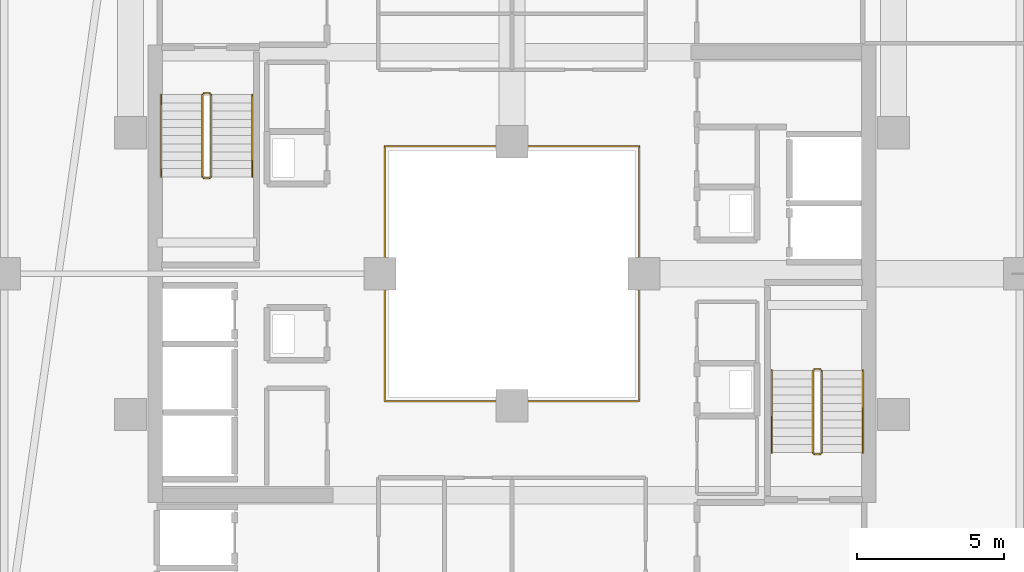
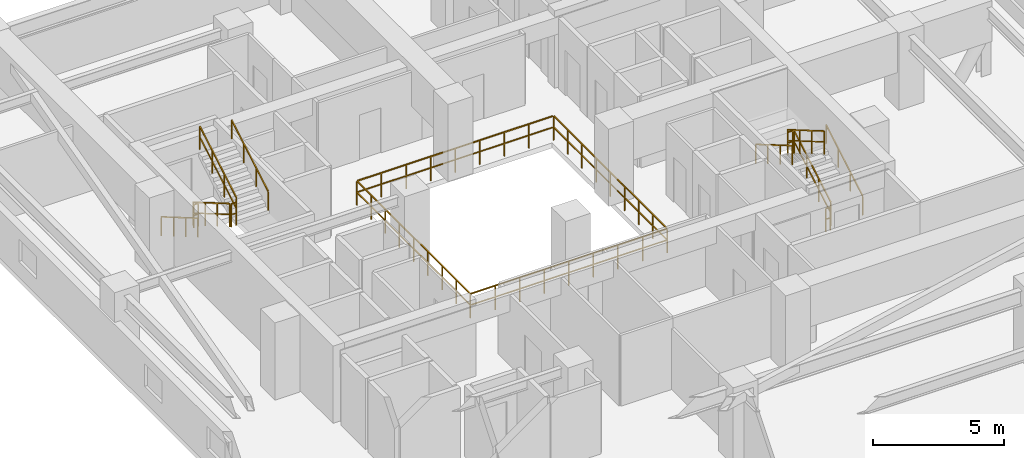
# One storey, part 34 of 35: 13 railings.
"""IFC4 building model written with IfcOpenShell, lengths in metres."""

from ifc_helpers import new_model, si_unit, direction, frame, origin, origin_2d, place, context, subcontext, project, spatial, rectangle, extrude, material, type_object, element, save


model = new_model("IFC4")

# Units and contexts
model_context = context("Model", 3, precision=1e-05, world=origin(), true_north=direction((0.0, 1.0)))
body_context = subcontext(model_context, "Body", "Model", "MODEL_VIEW")
ifc_project = project(units=[si_unit("LENGTHUNIT", "METRE"), si_unit("AREAUNIT", "SQUARE_METRE"), si_unit("VOLUMEUNIT", "CUBIC_METRE"), si_unit("PLANEANGLEUNIT", "RADIAN"), si_unit("MASSUNIT", "GRAM", prefix="KILO")], contexts=[model_context])

# Site, building, storey
site_placement = place(None, origin())
site = spatial("IfcSite", under=ifc_project, at=site_placement, CompositionType="ELEMENT")
building_placement = place(site_placement, origin())
building = spatial("IfcBuilding", under=site, at=building_placement, Name="Thornwick Lancets Civic Towers", CompositionType="ELEMENT")
storey_placement = place(building_placement, frame((0.0, 0.0, 145.5)))
storey = spatial("IfcBuildingStorey", under=building, at=storey_placement, Name="L38", CompositionType="ELEMENT", Elevation=145.5)

# Railings
ifc_material_1 = material(Name="Laminated glass and bronze steel S355", Category="steel")
railing_type_1 = type_object("IfcRailingType", Name="RAIL_ATRIUM_GUARD", PredefinedType="BALUSTRADE", material=ifc_material_1)
railing_1_placement = place(storey_placement, frame((84.159912109375, 22.659912109375, 0.0)))
element("IfcRailing", 1, at=railing_1_placement, inside=storey, type_object=railing_type_1, Name="L38 Tower B Central Atrium Guard Balustrade", PredefinedType="BALUSTRADE", context=body_context, shape_type="SweptSolid", body=[
    extrude(rectangle(XDim=0.048095703125, YDim=0.048095703125, at=origin_2d()), frame((0.0, 0.0, 1.1259765625), z_axis=(1.0, 0.0, 0.0), x_axis=(0.0, 1.0, 0.0)), (0.0, 0.0, 1.0), 8.64892578125),
    extrude(rectangle(XDim=0.0419921875, YDim=0.0419921875, at=origin_2d()), frame((0.03759765625, 0.0, 0.597900390625), z_axis=(1.0, 0.0, 0.0), x_axis=(0.0, 1.0, 0.0)), (0.0, 0.0, 1.0), 1.010009765625),
    extrude(rectangle(XDim=0.0419921875, YDim=0.0419921875, at=origin_2d()), frame((1.12255859375, 0.0, 0.597900390625), z_axis=(1.0, 0.0, 0.0), x_axis=(0.0, 1.0, 0.0)), (0.0, 0.0, 1.0), 1.010009765625),
    extrude(rectangle(XDim=0.0419921875, YDim=0.0419921875, at=origin_2d()), frame((2.20751953125, 0.0, 0.597900390625), z_axis=(1.0, 0.0, 0.0), x_axis=(0.0, 1.0, 0.0)), (0.0, 0.0, 1.0), 1.010009765625),
    extrude(rectangle(XDim=0.0419921875, YDim=0.0419921875, at=origin_2d()), frame((3.29248046875, 0.0, 0.597900390625), z_axis=(1.0, 0.0, 0.0), x_axis=(0.0, 1.0, 0.0)), (0.0, 0.0, 1.0), 1.010009765625),
    extrude(rectangle(XDim=0.0419921875, YDim=0.0419921875, at=origin_2d()), frame((4.377685546875, 0.0, 0.597900390625), z_axis=(1.0, 0.0, 0.0), x_axis=(0.0, 1.0, 0.0)), (0.0, 0.0, 1.0), 1.010009765625),
    extrude(rectangle(XDim=0.0419921875, YDim=0.0419921875, at=origin_2d()), frame((5.462646484375, 0.0, 0.597900390625), z_axis=(1.0, 0.0, 0.0), x_axis=(0.0, 1.0, 0.0)), (0.0, 0.0, 1.0), 1.010009765625),
    extrude(rectangle(XDim=0.0419921875, YDim=0.0419921875, at=origin_2d()), frame((6.547607421875, 0.0, 0.597900390625), z_axis=(1.0, 0.0, 0.0), x_axis=(0.0, 1.0, 0.0)), (0.0, 0.0, 1.0), 1.010009765625),
    extrude(rectangle(XDim=0.0419921875, YDim=0.0419921875, at=origin_2d()), frame((7.632568359375, 0.0, 0.597900390625), z_axis=(1.0, 0.0, 0.0), x_axis=(0.0, 1.0, 0.0)), (0.0, 0.0, 1.0), 1.010009765625),
    extrude(rectangle(XDim=0.048095703125, YDim=0.048095703125, at=origin_2d()), frame((8.68017578125, 0.03125, 1.1259765625), z_axis=(0.0, 1.0, 0.0), x_axis=(-1.0, 0.0, 0.0)), (0.0, 0.0, 1.0), 8.61767578125),
    extrude(rectangle(XDim=0.0419921875, YDim=0.0419921875, at=origin_2d()), frame((8.68017578125, 0.03759765625, 0.597900390625), z_axis=(0.0, 1.0, 0.0), x_axis=(-1.0, 0.0, 0.0)), (0.0, 0.0, 1.0), 1.010009765625),
    extrude(rectangle(XDim=0.0419921875, YDim=0.0419921875, at=origin_2d()), frame((8.68017578125, 1.12255859375, 0.597900390625), z_axis=(0.0, 1.0, 0.0), x_axis=(-1.0, 0.0, 0.0)), (0.0, 0.0, 1.0), 1.010009765625),
    extrude(rectangle(XDim=0.0419921875, YDim=0.0419921875, at=origin_2d()), frame((8.68017578125, 2.20751953125, 0.597900390625), z_axis=(0.0, 1.0, 0.0), x_axis=(-1.0, 0.0, 0.0)), (0.0, 0.0, 1.0), 1.010009765625),
    extrude(rectangle(XDim=0.0419921875, YDim=0.0419921875, at=origin_2d()), frame((8.68017578125, 3.29248046875, 0.597900390625), z_axis=(0.0, 1.0, 0.0), x_axis=(-1.0, 0.0, 0.0)), (0.0, 0.0, 1.0), 1.010009765625),
    extrude(rectangle(XDim=0.0419921875, YDim=0.0419921875, at=origin_2d()), frame((8.68017578125, 4.377685546875, 0.597900390625), z_axis=(0.0, 1.0, 0.0), x_axis=(-1.0, 0.0, 0.0)), (0.0, 0.0, 1.0), 1.010009765625),
    extrude(rectangle(XDim=0.0419921875, YDim=0.0419921875, at=origin_2d()), frame((8.68017578125, 5.462646484375, 0.597900390625), z_axis=(0.0, 1.0, 0.0), x_axis=(-1.0, 0.0, 0.0)), (0.0, 0.0, 1.0), 1.010009765625),
    extrude(rectangle(XDim=0.0419921875, YDim=0.0419921875, at=origin_2d()), frame((8.68017578125, 6.547607421875, 0.597900390625), z_axis=(0.0, 1.0, 0.0), x_axis=(-1.0, 0.0, 0.0)), (0.0, 0.0, 1.0), 1.010009765625),
    extrude(rectangle(XDim=0.0419921875, YDim=0.0419921875, at=origin_2d()), frame((8.68017578125, 7.632568359375, 0.597900390625), z_axis=(0.0, 1.0, 0.0), x_axis=(-1.0, 0.0, 0.0)), (0.0, 0.0, 1.0), 1.010009765625),
    extrude(rectangle(XDim=0.048095703125, YDim=0.048095703125, at=origin_2d()), frame((8.64892578125, 8.68017578125, 1.1259765625), z_axis=(-1.0, 0.0, 0.0), x_axis=(0.0, -1.0, 0.0)), (0.0, 0.0, 1.0), 8.61767578125),
    extrude(rectangle(XDim=0.0419921875, YDim=0.0419921875, at=origin_2d()), frame((8.642578125, 8.68017578125, 0.597900390625), z_axis=(-1.0, 0.0, 0.0), x_axis=(0.0, -1.0, 0.0)), (0.0, 0.0, 1.0), 1.010009765625),
    extrude(rectangle(XDim=0.0419921875, YDim=0.0419921875, at=origin_2d()), frame((7.5576171875, 8.68017578125, 0.597900390625), z_axis=(-1.0, 0.0, 0.0), x_axis=(0.0, -1.0, 0.0)), (0.0, 0.0, 1.0), 1.010009765625),
    extrude(rectangle(XDim=0.0419921875, YDim=0.0419921875, at=origin_2d()), frame((6.47265625, 8.68017578125, 0.597900390625), z_axis=(-1.0, 0.0, 0.0), x_axis=(0.0, -1.0, 0.0)), (0.0, 0.0, 1.0), 1.010009765625),
    extrude(rectangle(XDim=0.0419921875, YDim=0.0419921875, at=origin_2d()), frame((5.3876953125, 8.68017578125, 0.597900390625), z_axis=(-1.0, 0.0, 0.0), x_axis=(0.0, -1.0, 0.0)), (0.0, 0.0, 1.0), 1.010009765625),
    extrude(rectangle(XDim=0.0419921875, YDim=0.0419921875, at=origin_2d()), frame((4.302490234375, 8.68017578125, 0.597900390625), z_axis=(-1.0, 0.0, 0.0), x_axis=(0.0, -1.0, 0.0)), (0.0, 0.0, 1.0), 1.010009765625),
    extrude(rectangle(XDim=0.0419921875, YDim=0.0419921875, at=origin_2d()), frame((3.217529296875, 8.68017578125, 0.597900390625), z_axis=(-1.0, 0.0, 0.0), x_axis=(0.0, -1.0, 0.0)), (0.0, 0.0, 1.0), 1.010009765625),
    extrude(rectangle(XDim=0.0419921875, YDim=0.0419921875, at=origin_2d()), frame((2.132568359375, 8.68017578125, 0.597900390625), z_axis=(-1.0, 0.0, 0.0), x_axis=(0.0, -1.0, 0.0)), (0.0, 0.0, 1.0), 1.010009765625),
    extrude(rectangle(XDim=0.0419921875, YDim=0.0419921875, at=origin_2d()), frame((1.047607421875, 8.68017578125, 0.597900390625), z_axis=(-1.0, 0.0, 0.0), x_axis=(0.0, -1.0, 0.0)), (0.0, 0.0, 1.0), 1.010009765625),
    extrude(rectangle(XDim=0.048095703125, YDim=0.048095703125, at=origin_2d()), frame((0.0, 8.64892578125, 1.1259765625), z_axis=(0.0, -1.0, 0.0), x_axis=(1.0, 0.0, 0.0)), (0.0, 0.0, 1.0), 8.64892578125),
    extrude(rectangle(XDim=0.0419921875, YDim=0.0419921875, at=origin_2d()), frame((0.0, 8.642578125, 0.597900390625), z_axis=(0.0, -1.0, 0.0), x_axis=(1.0, 0.0, 0.0)), (0.0, 0.0, 1.0), 1.010009765625),
    extrude(rectangle(XDim=0.0419921875, YDim=0.0419921875, at=origin_2d()), frame((0.0, 7.5576171875, 0.597900390625), z_axis=(0.0, -1.0, 0.0), x_axis=(1.0, 0.0, 0.0)), (0.0, 0.0, 1.0), 1.010009765625),
    extrude(rectangle(XDim=0.0419921875, YDim=0.0419921875, at=origin_2d()), frame((0.0, 6.47265625, 0.597900390625), z_axis=(0.0, -1.0, 0.0), x_axis=(1.0, 0.0, 0.0)), (0.0, 0.0, 1.0), 1.010009765625),
    extrude(rectangle(XDim=0.0419921875, YDim=0.0419921875, at=origin_2d()), frame((0.0, 5.3876953125, 0.597900390625), z_axis=(0.0, -1.0, 0.0), x_axis=(1.0, 0.0, 0.0)), (0.0, 0.0, 1.0), 1.010009765625),
    extrude(rectangle(XDim=0.0419921875, YDim=0.0419921875, at=origin_2d()), frame((0.0, 4.302490234375, 0.597900390625), z_axis=(0.0, -1.0, 0.0), x_axis=(1.0, 0.0, 0.0)), (0.0, 0.0, 1.0), 1.010009765625),
    extrude(rectangle(XDim=0.0419921875, YDim=0.0419921875, at=origin_2d()), frame((0.0, 3.217529296875, 0.597900390625), z_axis=(0.0, -1.0, 0.0), x_axis=(1.0, 0.0, 0.0)), (0.0, 0.0, 1.0), 1.010009765625),
    extrude(rectangle(XDim=0.0419921875, YDim=0.0419921875, at=origin_2d()), frame((0.0, 2.132568359375, 0.597900390625), z_axis=(0.0, -1.0, 0.0), x_axis=(1.0, 0.0, 0.0)), (0.0, 0.0, 1.0), 1.010009765625),
    extrude(rectangle(XDim=0.0419921875, YDim=0.0419921875, at=origin_2d()), frame((0.0, 1.047607421875, 0.597900390625), z_axis=(0.0, -1.0, 0.0), x_axis=(1.0, 0.0, 0.0)), (0.0, 0.0, 1.0), 1.010009765625),
    extrude(rectangle(XDim=0.0419921875, YDim=0.0419921875, at=origin_2d()), origin(), (0.0, 0.0, 1.0), 1.095703125),
    extrude(rectangle(XDim=0.0419921875, YDim=0.0419921875, at=origin_2d()), frame((1.0849609375, 0.0, 0.0)), (0.0, 0.0, 1.0), 1.095703125),
    extrude(rectangle(XDim=0.0419921875, YDim=0.0419921875, at=origin_2d()), frame((2.169921875, 0.0, 0.0)), (0.0, 0.0, 1.0), 1.095703125),
    extrude(rectangle(XDim=0.0419921875, YDim=0.0419921875, at=origin_2d()), frame((3.255126953125, 0.0, 0.0)), (0.0, 0.0, 1.0), 1.095703125),
    extrude(rectangle(XDim=0.0419921875, YDim=0.0419921875, at=origin_2d()), frame((4.340087890625, 0.0, 0.0)), (0.0, 0.0, 1.0), 1.095703125),
    extrude(rectangle(XDim=0.0419921875, YDim=0.0419921875, at=origin_2d()), frame((5.425048828125, 0.0, 0.0)), (0.0, 0.0, 1.0), 1.095703125),
    extrude(rectangle(XDim=0.0419921875, YDim=0.0419921875, at=origin_2d()), frame((6.51025390625, 0.0, 0.0)), (0.0, 0.0, 1.0), 1.095703125),
    extrude(rectangle(XDim=0.0419921875, YDim=0.0419921875, at=origin_2d()), frame((7.59521484375, 0.0, 0.0)), (0.0, 0.0, 1.0), 1.095703125),
    extrude(rectangle(XDim=0.0419921875, YDim=0.0419921875, at=origin_2d()), frame((8.68017578125, 0.0, 0.0)), (0.0, 0.0, 1.0), 1.095703125),
    extrude(rectangle(XDim=0.0419921875, YDim=0.0419921875, at=origin_2d()), frame((8.68017578125, 1.0849609375, 0.0)), (0.0, 0.0, 1.0), 1.095703125),
    extrude(rectangle(XDim=0.0419921875, YDim=0.0419921875, at=origin_2d()), frame((8.68017578125, 2.169921875, 0.0)), (0.0, 0.0, 1.0), 1.095703125),
    extrude(rectangle(XDim=0.0419921875, YDim=0.0419921875, at=origin_2d()), frame((8.68017578125, 3.255126953125, 0.0)), (0.0, 0.0, 1.0), 1.095703125),
    extrude(rectangle(XDim=0.0419921875, YDim=0.0419921875, at=origin_2d()), frame((8.68017578125, 4.340087890625, 0.0)), (0.0, 0.0, 1.0), 1.095703125),
    extrude(rectangle(XDim=0.0419921875, YDim=0.0419921875, at=origin_2d()), frame((8.68017578125, 5.425048828125, 0.0)), (0.0, 0.0, 1.0), 1.095703125),
    extrude(rectangle(XDim=0.0419921875, YDim=0.0419921875, at=origin_2d()), frame((8.68017578125, 6.51025390625, 0.0)), (0.0, 0.0, 1.0), 1.095703125),
    extrude(rectangle(XDim=0.0419921875, YDim=0.0419921875, at=origin_2d()), frame((8.68017578125, 7.59521484375, 0.0)), (0.0, 0.0, 1.0), 1.095703125),
    extrude(rectangle(XDim=0.0419921875, YDim=0.0419921875, at=origin_2d()), frame((8.68017578125, 8.68017578125, 0.0)), (0.0, 0.0, 1.0), 1.095703125),
    extrude(rectangle(XDim=0.0419921875, YDim=0.0419921875, at=origin_2d()), frame((7.59521484375, 8.68017578125, 0.0)), (0.0, 0.0, 1.0), 1.095703125),
    extrude(rectangle(XDim=0.0419921875, YDim=0.0419921875, at=origin_2d()), frame((6.51025390625, 8.68017578125, 0.0)), (0.0, 0.0, 1.0), 1.095703125),
    extrude(rectangle(XDim=0.0419921875, YDim=0.0419921875, at=origin_2d()), frame((5.425048828125, 8.68017578125, 0.0)), (0.0, 0.0, 1.0), 1.095703125),
    extrude(rectangle(XDim=0.0419921875, YDim=0.0419921875, at=origin_2d()), frame((4.340087890625, 8.68017578125, 0.0)), (0.0, 0.0, 1.0), 1.095703125),
    extrude(rectangle(XDim=0.0419921875, YDim=0.0419921875, at=origin_2d()), frame((3.255126953125, 8.68017578125, 0.0)), (0.0, 0.0, 1.0), 1.095703125),
    extrude(rectangle(XDim=0.0419921875, YDim=0.0419921875, at=origin_2d()), frame((2.169921875, 8.68017578125, 0.0)), (0.0, 0.0, 1.0), 1.095703125),
    extrude(rectangle(XDim=0.0419921875, YDim=0.0419921875, at=origin_2d()), frame((1.0849609375, 8.68017578125, 0.0)), (0.0, 0.0, 1.0), 1.095703125),
    extrude(rectangle(XDim=0.0419921875, YDim=0.0419921875, at=origin_2d()), frame((0.0, 8.68017578125, 0.0)), (0.0, 0.0, 1.0), 1.095703125),
    extrude(rectangle(XDim=0.0419921875, YDim=0.0419921875, at=origin_2d()), frame((0.0, 7.59521484375, 0.0)), (0.0, 0.0, 1.0), 1.095703125),
    extrude(rectangle(XDim=0.0419921875, YDim=0.0419921875, at=origin_2d()), frame((0.0, 6.51025390625, 0.0)), (0.0, 0.0, 1.0), 1.095703125),
    extrude(rectangle(XDim=0.0419921875, YDim=0.0419921875, at=origin_2d()), frame((0.0, 5.425048828125, 0.0)), (0.0, 0.0, 1.0), 1.095703125),
    extrude(rectangle(XDim=0.0419921875, YDim=0.0419921875, at=origin_2d()), frame((0.0, 4.340087890625, 0.0)), (0.0, 0.0, 1.0), 1.095703125),
    extrude(rectangle(XDim=0.0419921875, YDim=0.0419921875, at=origin_2d()), frame((0.0, 3.255126953125, 0.0)), (0.0, 0.0, 1.0), 1.095703125),
    extrude(rectangle(XDim=0.0419921875, YDim=0.0419921875, at=origin_2d()), frame((0.0, 2.169921875, 0.0)), (0.0, 0.0, 1.0), 1.095703125),
    extrude(rectangle(XDim=0.0419921875, YDim=0.0419921875, at=origin_2d()), frame((0.0, 1.0849609375, 0.0)), (0.0, 0.0, 1.0), 1.095703125),
])
ifc_material_2 = material(Name="Brushed stainless steel S355", Category="steel")
railing_type_2 = type_object("IfcRailingType", Name="RAIL_HANDRAIL", PredefinedType="HANDRAIL", material=ifc_material_2)
railing_2_placement = place(storey_placement, frame((100.449951171875, 20.89990234375, 0.16357421875)))
element("IfcRailing", 2, at=railing_2_placement, inside=storey, type_object=railing_type_2, Name="L38 ST-B1 stair handrail 1", PredefinedType="HANDRAIL", context=body_context, shape_type="SweptSolid", body=[
    extrude(rectangle(XDim=0.048095703125, YDim=0.048095703125, at=origin_2d()), frame((0.0, 0.0, 0.8857421875), z_axis=(0.0, 0.863360870873, 0.504586966384), x_axis=(-1.0, 0.0, 0.0)), (0.0, 0.0, 1.0), 3.2431640625),
    extrude(rectangle(XDim=0.0419921875, YDim=0.0419921875, at=origin_2d()), origin(), (0.0, 0.0, 1.0), 0.855712890625),
    extrude(rectangle(XDim=0.0419921875, YDim=0.0419921875, at=origin_2d()), frame((0.0, 0.933349609375, 0.54541015625)), (0.0, 0.0, 1.0), 0.855712890625),
    extrude(rectangle(XDim=0.0419921875, YDim=0.0419921875, at=origin_2d()), frame((0.0, 1.86669921875, 1.091064453125)), (0.0, 0.0, 1.0), 0.855712890625),
    extrude(rectangle(XDim=0.0419921875, YDim=0.0419921875, at=origin_2d()), frame((0.0, 2.800048828125, 1.636474609375)), (0.0, 0.0, 1.0), 0.855712890625),
])
for number, where, name in (
    (3, (97.35009765625, 23.699951171875, 1.963623046875), "L38 ST-B1 stair handrail 2"),
    (4, (76.550048828125, 33.10009765625, 0.16357421875), "L38 ST-B2 stair handrail 1"),
):
    element("IfcRailing", number, at=place(storey_placement, frame(where)), inside=storey, type_object=railing_type_2, Name=name, PredefinedType="HANDRAIL", context=body_context, shape_type="SweptSolid", body=[
        extrude(rectangle(XDim=0.048095703125, YDim=0.048095703125, at=origin_2d()), frame((0.0, 0.0, 0.8857421875), z_axis=(0.0, -0.863360870873, 0.504586966384), x_axis=(1.0, 0.0, 0.0)), (0.0, 0.0, 1.0), 3.2431640625),
        extrude(rectangle(XDim=0.0419921875, YDim=0.0419921875, at=origin_2d()), origin(), (0.0, 0.0, 1.0), 0.855712890625),
        extrude(rectangle(XDim=0.0419921875, YDim=0.0419921875, at=origin_2d()), frame((0.0, -0.933349609375, 0.54541015625)), (0.0, 0.0, 1.0), 0.855712890625),
        extrude(rectangle(XDim=0.0419921875, YDim=0.0419921875, at=origin_2d()), frame((0.0, -1.86669921875, 1.091064453125)), (0.0, 0.0, 1.0), 0.855712890625),
        extrude(rectangle(XDim=0.0419921875, YDim=0.0419921875, at=origin_2d()), frame((0.0, -2.800048828125, 1.636474609375)), (0.0, 0.0, 1.0), 0.855712890625),
    ])
railing_3_placement = place(storey_placement, frame((79.64990234375, 30.300048828125, 1.963623046875)))
element("IfcRailing", 5, at=railing_3_placement, inside=storey, type_object=railing_type_2, Name="L38 ST-B2 stair handrail 2", PredefinedType="HANDRAIL", context=body_context, shape_type="SweptSolid", body=[
    extrude(rectangle(XDim=0.048095703125, YDim=0.048095703125, at=origin_2d()), frame((0.0, 0.0, 0.8857421875), z_axis=(0.0, 0.863360870873, 0.504586966384), x_axis=(-1.0, 0.0, 0.0)), (0.0, 0.0, 1.0), 3.2431640625),
    extrude(rectangle(XDim=0.0419921875, YDim=0.0419921875, at=origin_2d()), origin(), (0.0, 0.0, 1.0), 0.855712890625),
    extrude(rectangle(XDim=0.0419921875, YDim=0.0419921875, at=origin_2d()), frame((0.0, 0.933349609375, 0.54541015625)), (0.0, 0.0, 1.0), 0.855712890625),
    extrude(rectangle(XDim=0.0419921875, YDim=0.0419921875, at=origin_2d()), frame((0.0, 1.86669921875, 1.091064453125)), (0.0, 0.0, 1.0), 0.855712890625),
    extrude(rectangle(XDim=0.0419921875, YDim=0.0419921875, at=origin_2d()), frame((0.0, 2.800048828125, 1.636474609375)), (0.0, 0.0, 1.0), 0.855712890625),
])
ifc_material_3 = material(Name="Steel S355JR", Category="steel")
railing_type_3 = type_object("IfcRailingType", Name="RAIL_STAIR_GUARD", PredefinedType="GUARDRAIL", material=ifc_material_3)
railing_4_placement = place(storey_placement, frame((99.050048828125, 20.89990234375, 0.16357421875)))
element("IfcRailing", 6, at=railing_4_placement, inside=storey, type_object=railing_type_3, Name="L38 ST-B1 stair guard 1", PredefinedType="GUARDRAIL", context=body_context, shape_type="SweptSolid", body=[
    extrude(rectangle(XDim=0.048095703125, YDim=0.048095703125, at=origin_2d()), frame((0.0, 0.0, 1.076171875), z_axis=(0.0, 0.863360870873, 0.504586966384), x_axis=(-1.0, 0.0, 0.0)), (0.0, 0.0, 1.0), 3.2431640625),
    extrude(rectangle(XDim=0.0419921875, YDim=0.0419921875, at=origin_2d()), frame((0.0, 0.032470703125, 0.591064453125), z_axis=(0.0, 0.863360870873, 0.504586966384), x_axis=(-1.0, 0.0, 0.0)), (0.0, 0.0, 1.0), 1.006103515625),
    extrude(rectangle(XDim=0.0419921875, YDim=0.0419921875, at=origin_2d()), frame((0.0, 0.9658203125, 1.136474609375), z_axis=(0.0, 0.863360870873, 0.504586966384), x_axis=(-1.0, 0.0, 0.0)), (0.0, 0.0, 1.0), 1.006103515625),
    extrude(rectangle(XDim=0.0419921875, YDim=0.0419921875, at=origin_2d()), frame((0.0, 1.899169921875, 1.681884765625), z_axis=(0.0, 0.863360870873, 0.504586966384), x_axis=(-1.0, 0.0, 0.0)), (0.0, 0.0, 1.0), 1.006103515625),
    extrude(rectangle(XDim=0.0419921875, YDim=0.0419921875, at=origin_2d()), origin(), (0.0, 0.0, 1.0), 1.0458984375),
    extrude(rectangle(XDim=0.0419921875, YDim=0.0419921875, at=origin_2d()), frame((0.0, 0.933349609375, 0.54541015625)), (0.0, 0.0, 1.0), 1.0458984375),
    extrude(rectangle(XDim=0.0419921875, YDim=0.0419921875, at=origin_2d()), frame((0.0, 1.86669921875, 1.091064453125)), (0.0, 0.0, 1.0), 1.0458984375),
    extrude(rectangle(XDim=0.0419921875, YDim=0.0419921875, at=origin_2d()), frame((0.0, 2.800048828125, 1.636474609375)), (0.0, 0.0, 1.0), 1.0458984375),
])
railing_5_placement = place(storey_placement, frame((99.0, 23.75, 1.800048828125)))
element("IfcRailing", 7, at=railing_5_placement, inside=storey, type_object=railing_type_3, Name="L38 ST-B1 stair guard 2", PredefinedType="GUARDRAIL", context=body_context, shape_type="SweptSolid", body=[
    extrude(rectangle(XDim=0.048095703125, YDim=0.048095703125, at=origin_2d()), frame((0.0, 0.0, 1.076171875), z_axis=(-1.0, 0.0, 0.0), x_axis=(0.0, -1.0, 0.0)), (0.0, 0.0, 1.0), 0.199951171875),
    extrude(rectangle(XDim=0.0419921875, YDim=0.0419921875, at=origin_2d()), frame((-0.03759765625, 0.0, 0.572021484375), z_axis=(-1.0, 0.0, 0.0), x_axis=(0.0, -1.0, 0.0)), (0.0, 0.0, 1.0), 0.125),
    extrude(rectangle(XDim=0.0419921875, YDim=0.0419921875, at=origin_2d()), origin(), (0.0, 0.0, 1.0), 1.0458984375),
    extrude(rectangle(XDim=0.0419921875, YDim=0.0419921875, at=origin_2d()), frame((-0.199951171875, 0.0, 0.0)), (0.0, 0.0, 1.0), 1.0458984375),
])
railing_6_placement = place(storey_placement, frame((98.75, 23.699951171875, 1.963623046875)))
element("IfcRailing", 8, at=railing_6_placement, inside=storey, type_object=railing_type_3, Name="L38 ST-B1 stair guard 3", PredefinedType="GUARDRAIL", context=body_context, shape_type="SweptSolid", body=[
    extrude(rectangle(XDim=0.048095703125, YDim=0.048095703125, at=origin_2d()), frame((0.0, 0.0, 1.076171875), z_axis=(0.0, -0.863360870873, 0.504586966384), x_axis=(1.0, 0.0, 0.0)), (0.0, 0.0, 1.0), 3.2431640625),
    extrude(rectangle(XDim=0.0419921875, YDim=0.0419921875, at=origin_2d()), frame((0.0, -0.032470703125, 0.591064453125), z_axis=(0.0, -0.863360870873, 0.504586966384), x_axis=(1.0, 0.0, 0.0)), (0.0, 0.0, 1.0), 1.006103515625),
    extrude(rectangle(XDim=0.0419921875, YDim=0.0419921875, at=origin_2d()), frame((0.0, -0.9658203125, 1.136474609375), z_axis=(0.0, -0.863360870873, 0.504586966384), x_axis=(1.0, 0.0, 0.0)), (0.0, 0.0, 1.0), 1.006103515625),
    extrude(rectangle(XDim=0.0419921875, YDim=0.0419921875, at=origin_2d()), frame((0.0, -1.899169921875, 1.681884765625), z_axis=(0.0, -0.863360870873, 0.504586966384), x_axis=(1.0, 0.0, 0.0)), (0.0, 0.0, 1.0), 1.006103515625),
    extrude(rectangle(XDim=0.0419921875, YDim=0.0419921875, at=origin_2d()), origin(), (0.0, 0.0, 1.0), 1.0458984375),
    extrude(rectangle(XDim=0.0419921875, YDim=0.0419921875, at=origin_2d()), frame((0.0, -0.933349609375, 0.54541015625)), (0.0, 0.0, 1.0), 1.0458984375),
    extrude(rectangle(XDim=0.0419921875, YDim=0.0419921875, at=origin_2d()), frame((0.0, -1.86669921875, 1.091064453125)), (0.0, 0.0, 1.0), 1.0458984375),
    extrude(rectangle(XDim=0.0419921875, YDim=0.0419921875, at=origin_2d()), frame((0.0, -2.800048828125, 1.636474609375)), (0.0, 0.0, 1.0), 1.0458984375),
])
railing_7_placement = place(storey_placement, frame((99.0, 20.85009765625, 0.0)))
element("IfcRailing", 9, at=railing_7_placement, inside=storey, type_object=railing_type_3, Name="L38 ST-B1 stair guard 4", PredefinedType="GUARDRAIL", context=body_context, shape_type="SweptSolid", body=[
    extrude(rectangle(XDim=0.048095703125, YDim=0.048095703125, at=origin_2d()), frame((0.0, 0.0, 1.076171875), z_axis=(-1.0, 0.0, 0.0), x_axis=(0.0, -1.0, 0.0)), (0.0, 0.0, 1.0), 0.199951171875),
    extrude(rectangle(XDim=0.0419921875, YDim=0.0419921875, at=origin_2d()), frame((-0.03759765625, 0.0, 0.572021484375), z_axis=(-1.0, 0.0, 0.0), x_axis=(0.0, -1.0, 0.0)), (0.0, 0.0, 1.0), 0.125),
    extrude(rectangle(XDim=0.0419921875, YDim=0.0419921875, at=origin_2d()), origin(), (0.0, 0.0, 1.0), 1.0458984375),
    extrude(rectangle(XDim=0.0419921875, YDim=0.0419921875, at=origin_2d()), frame((-0.199951171875, 0.0, 0.0)), (0.0, 0.0, 1.0), 1.0458984375),
])
railing_8_placement = place(storey_placement, frame((77.949951171875, 33.10009765625, 0.16357421875)))
element("IfcRailing", 10, at=railing_8_placement, inside=storey, type_object=railing_type_3, Name="L38 ST-B2 stair guard 1", PredefinedType="GUARDRAIL", context=body_context, shape_type="SweptSolid", body=[
    extrude(rectangle(XDim=0.048095703125, YDim=0.048095703125, at=origin_2d()), frame((0.0, 0.0, 1.076171875), z_axis=(0.0, -0.863360870873, 0.504586966384), x_axis=(1.0, 0.0, 0.0)), (0.0, 0.0, 1.0), 3.2431640625),
    extrude(rectangle(XDim=0.0419921875, YDim=0.0419921875, at=origin_2d()), frame((0.0, -0.032470703125, 0.591064453125), z_axis=(0.0, -0.863360870873, 0.504586966384), x_axis=(1.0, 0.0, 0.0)), (0.0, 0.0, 1.0), 1.006103515625),
    extrude(rectangle(XDim=0.0419921875, YDim=0.0419921875, at=origin_2d()), frame((0.0, -0.9658203125, 1.136474609375), z_axis=(0.0, -0.863360870873, 0.504586966384), x_axis=(1.0, 0.0, 0.0)), (0.0, 0.0, 1.0), 1.006103515625),
    extrude(rectangle(XDim=0.0419921875, YDim=0.0419921875, at=origin_2d()), frame((0.0, -1.899169921875, 1.681884765625), z_axis=(0.0, -0.863360870873, 0.504586966384), x_axis=(1.0, 0.0, 0.0)), (0.0, 0.0, 1.0), 1.006103515625),
    extrude(rectangle(XDim=0.0419921875, YDim=0.0419921875, at=origin_2d()), origin(), (0.0, 0.0, 1.0), 1.0458984375),
    extrude(rectangle(XDim=0.0419921875, YDim=0.0419921875, at=origin_2d()), frame((0.0, -0.933349609375, 0.54541015625)), (0.0, 0.0, 1.0), 1.0458984375),
    extrude(rectangle(XDim=0.0419921875, YDim=0.0419921875, at=origin_2d()), frame((0.0, -1.86669921875, 1.091064453125)), (0.0, 0.0, 1.0), 1.0458984375),
    extrude(rectangle(XDim=0.0419921875, YDim=0.0419921875, at=origin_2d()), frame((0.0, -2.800048828125, 1.636474609375)), (0.0, 0.0, 1.0), 1.0458984375),
])
railing_9_placement = place(storey_placement, frame((78.0, 30.25, 1.800048828125)))
element("IfcRailing", 11, at=railing_9_placement, inside=storey, type_object=railing_type_3, Name="L38 ST-B2 stair guard 2", PredefinedType="GUARDRAIL", context=body_context, shape_type="SweptSolid", body=[
    extrude(rectangle(XDim=0.048095703125, YDim=0.048095703125, at=origin_2d()), frame((0.0, 0.0, 1.076171875), z_axis=(1.0, 0.0, 0.0), x_axis=(0.0, 1.0, 0.0)), (0.0, 0.0, 1.0), 0.199951171875),
    extrude(rectangle(XDim=0.0419921875, YDim=0.0419921875, at=origin_2d()), frame((0.03759765625, 0.0, 0.572021484375), z_axis=(1.0, 0.0, 0.0), x_axis=(0.0, 1.0, 0.0)), (0.0, 0.0, 1.0), 0.125),
    extrude(rectangle(XDim=0.0419921875, YDim=0.0419921875, at=origin_2d()), origin(), (0.0, 0.0, 1.0), 1.0458984375),
    extrude(rectangle(XDim=0.0419921875, YDim=0.0419921875, at=origin_2d()), frame((0.199951171875, 0.0, 0.0)), (0.0, 0.0, 1.0), 1.0458984375),
])
railing_10_placement = place(storey_placement, frame((78.25, 30.300048828125, 1.963623046875)))
element("IfcRailing", 12, at=railing_10_placement, inside=storey, type_object=railing_type_3, Name="L38 ST-B2 stair guard 3", PredefinedType="GUARDRAIL", context=body_context, shape_type="SweptSolid", body=[
    extrude(rectangle(XDim=0.048095703125, YDim=0.048095703125, at=origin_2d()), frame((0.0, 0.0, 1.076171875), z_axis=(0.0, 0.863360870873, 0.504586966384), x_axis=(-1.0, 0.0, 0.0)), (0.0, 0.0, 1.0), 3.2431640625),
    extrude(rectangle(XDim=0.0419921875, YDim=0.0419921875, at=origin_2d()), frame((0.0, 0.032470703125, 0.591064453125), z_axis=(0.0, 0.863360870873, 0.504586966384), x_axis=(-1.0, 0.0, 0.0)), (0.0, 0.0, 1.0), 1.006103515625),
    extrude(rectangle(XDim=0.0419921875, YDim=0.0419921875, at=origin_2d()), frame((0.0, 0.9658203125, 1.136474609375), z_axis=(0.0, 0.863360870873, 0.504586966384), x_axis=(-1.0, 0.0, 0.0)), (0.0, 0.0, 1.0), 1.006103515625),
    extrude(rectangle(XDim=0.0419921875, YDim=0.0419921875, at=origin_2d()), frame((0.0, 1.899169921875, 1.681884765625), z_axis=(0.0, 0.863360870873, 0.504586966384), x_axis=(-1.0, 0.0, 0.0)), (0.0, 0.0, 1.0), 1.006103515625),
    extrude(rectangle(XDim=0.0419921875, YDim=0.0419921875, at=origin_2d()), origin(), (0.0, 0.0, 1.0), 1.0458984375),
    extrude(rectangle(XDim=0.0419921875, YDim=0.0419921875, at=origin_2d()), frame((0.0, 0.933349609375, 0.54541015625)), (0.0, 0.0, 1.0), 1.0458984375),
    extrude(rectangle(XDim=0.0419921875, YDim=0.0419921875, at=origin_2d()), frame((0.0, 1.86669921875, 1.091064453125)), (0.0, 0.0, 1.0), 1.0458984375),
    extrude(rectangle(XDim=0.0419921875, YDim=0.0419921875, at=origin_2d()), frame((0.0, 2.800048828125, 1.636474609375)), (0.0, 0.0, 1.0), 1.0458984375),
])
railing_11_placement = place(storey_placement, frame((78.0, 33.14990234375, 0.0)))
element("IfcRailing", 13, at=railing_11_placement, inside=storey, type_object=railing_type_3, Name="L38 ST-B2 stair guard 4", PredefinedType="GUARDRAIL", context=body_context, shape_type="SweptSolid", body=[
    extrude(rectangle(XDim=0.048095703125, YDim=0.048095703125, at=origin_2d()), frame((0.0, 0.0, 1.076171875), z_axis=(1.0, 0.0, 0.0), x_axis=(0.0, 1.0, 0.0)), (0.0, 0.0, 1.0), 0.199951171875),
    extrude(rectangle(XDim=0.0419921875, YDim=0.0419921875, at=origin_2d()), frame((0.03759765625, 0.0, 0.572021484375), z_axis=(1.0, 0.0, 0.0), x_axis=(0.0, 1.0, 0.0)), (0.0, 0.0, 1.0), 0.125),
    extrude(rectangle(XDim=0.0419921875, YDim=0.0419921875, at=origin_2d()), origin(), (0.0, 0.0, 1.0), 1.0458984375),
    extrude(rectangle(XDim=0.0419921875, YDim=0.0419921875, at=origin_2d()), frame((0.199951171875, 0.0, 0.0)), (0.0, 0.0, 1.0), 1.0458984375),
])

save(model, "model.ifc")
